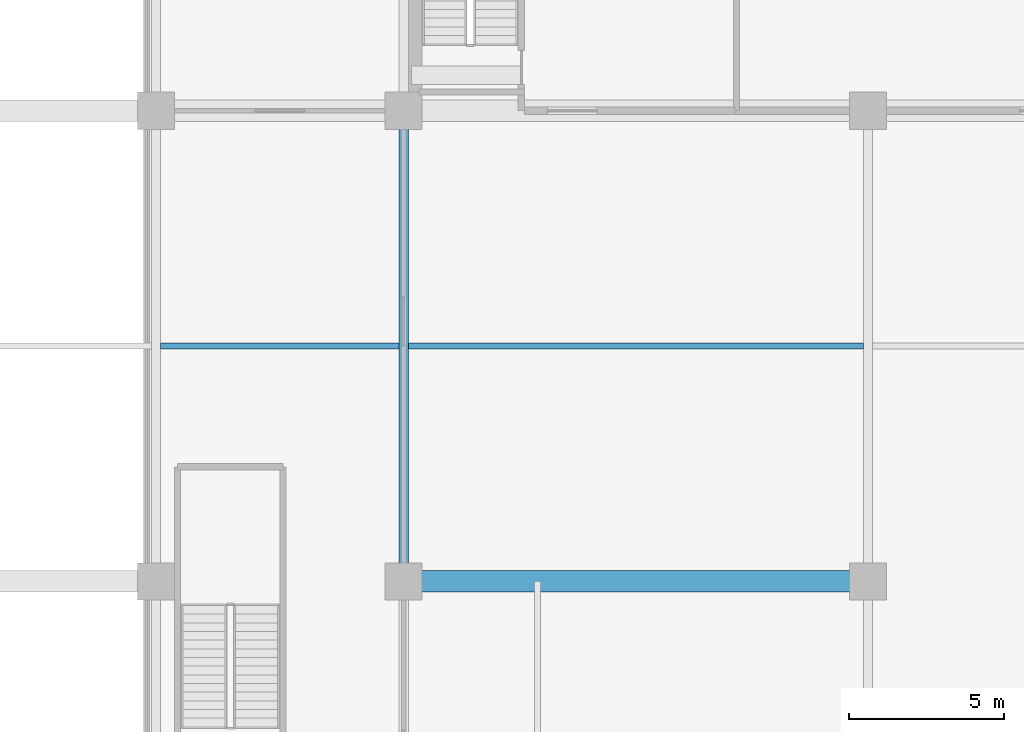
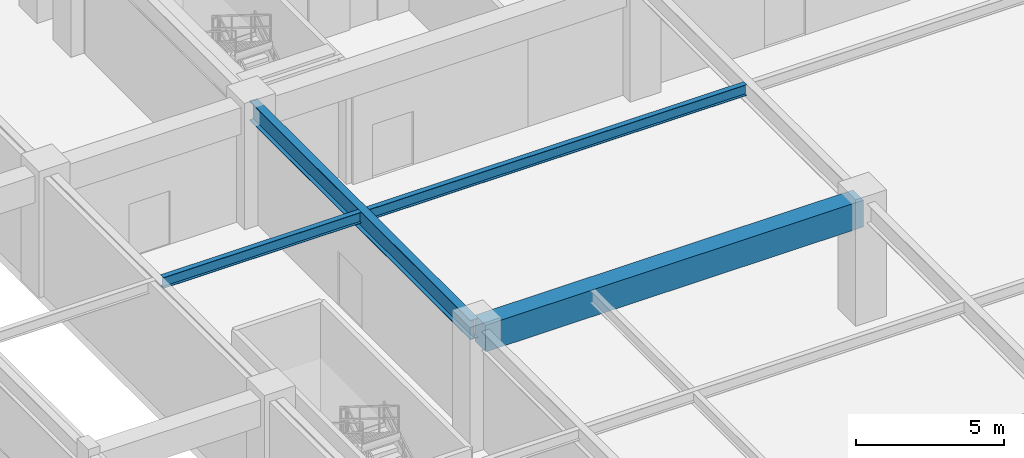
# One storey, part 9 of 40: 4 beams.
"""IFC4 building model written with IfcOpenShell, lengths in metres."""

from ifc_helpers import new_model, si_unit, direction, frame, origin, origin_2d, place, context, subcontext, project, spatial, rectangle, i_section, extrude, source, transform, mapped, material, material_profile, profile_set, type_object, element, save


model = new_model("IFC4")

# Units and contexts
model_context = context("Model", 3, precision=1e-05, world=origin(), true_north=direction((0.0, 1.0)))
body_context = subcontext(model_context, "Body", "Model", "MODEL_VIEW")
ifc_project = project(units=[si_unit("LENGTHUNIT", "METRE"), si_unit("AREAUNIT", "SQUARE_METRE"), si_unit("VOLUMEUNIT", "CUBIC_METRE"), si_unit("PLANEANGLEUNIT", "RADIAN"), si_unit("MASSUNIT", "GRAM", prefix="KILO")], contexts=[model_context])

# Site, building, storey
site_placement = place(None, origin())
site = spatial("IfcSite", under=ifc_project, at=site_placement, CompositionType="ELEMENT")
building_placement = place(site_placement, origin())
building = spatial("IfcBuilding", under=site, at=building_placement, Name="Trelvane Seafront Commons", CompositionType="ELEMENT")
storey_placement = place(building_placement, origin())
storey = spatial("IfcBuildingStorey", under=building, at=storey_placement, Name="L00", CompositionType="ELEMENT", Elevation=0.0)

# Beams
ifc_material_1 = material(Name="Concrete C50/60", Category="concrete")
ifc_material_profile_1 = material_profile(ifc_material_1, rectangle(XDim=0.699951171875, YDim=1.10009765625, at=origin_2d()), Name="RC-700x1100")
ifc_profile_set_1 = profile_set([ifc_material_profile_1], Name="Concrete C50/60")
beam_type_1 = type_object("IfcBeamType", Name="STR-TBM-RC700x1100", PredefinedType="T_BEAM", material=ifc_profile_set_1)
shared_shape_1 = source(origin(), body_context, "Body", "SweptSolid", [
    extrude(rectangle(XDim=0.699951171875, YDim=1.10009765625, at=origin_2d()), origin(), (0.0, 0.0, 1.0), 14.699951171875),
])
beam_1_placement = place(storey_placement, frame((15.75, 18.199951171875, 4.330078125), z_axis=(1.0, 0.0, 0.0), x_axis=(0.0, 1.0, 0.0)))
element("IfcBeam", 1, at=beam_1_placement, inside=storey, type_object=beam_type_1, Name="L00 Primary Girder G-09", PredefinedType="T_BEAM", context=body_context, shape_type="MappedRepresentation", body=[
    mapped(shared_shape_1, transform((0.0, 0.0, 0.0), x_axis=(1.0, 0.0, 0.0), y_axis=(0.0, 1.0, 0.0), z_axis=(0.0, 0.0, 1.0), scale=1.0)),
])
ifc_material_2 = material(Name="Steel SM355 (S355)", Category="steel")
ifc_material_profile_2 = material_profile(ifc_material_2, i_section(OverallWidth=0.300048828125, OverallDepth=0.800048828125, WebThickness=0.013916015625, FlangeThickness=0.02587890625, at=origin_2d()), Name="H-800x300x14x26")
ifc_profile_set_2 = profile_set([ifc_material_profile_2], Name="Steel SM355 (S355)")
beam_type_2 = type_object("IfcBeamType", Name="STR-BM-H800", PredefinedType="BEAM", material=ifc_profile_set_2)
shared_shape_2 = source(origin(), body_context, "Body", "SweptSolid", [
    extrude(i_section(OverallWidth=0.300048828125, OverallDepth=0.800048828125, WebThickness=0.013916015625, FlangeThickness=0.02587890625, at=origin_2d()), origin(), (0.0, 0.0, 1.0), 14.89990234375),
])
beam_2_placement = place(storey_placement, frame((15.60009765625, 18.35009765625, 4.47998046875), z_axis=(0.0, 1.0, 0.0), x_axis=(-1.0, 0.0, 0.0)))
element("IfcBeam", 2, at=beam_2_placement, inside=storey, type_object=beam_type_2, Name="L00 Primary Girder G-40", PredefinedType="BEAM", context=body_context, shape_type="MappedRepresentation", body=[
    mapped(shared_shape_2, transform((0.0, 0.0, 0.0), x_axis=(1.0, 0.0, 0.0), y_axis=(0.0, 1.0, 0.0), z_axis=(0.0, 0.0, 1.0), scale=1.0)),
])
ifc_material_profile_3 = material_profile(ifc_material_2, i_section(OverallWidth=0.199951171875, OverallDepth=0.449951171875, WebThickness=0.009033203125, FlangeThickness=0.013916015625, at=origin_2d()), Name="H-450x200x9x14")
ifc_profile_set_3 = profile_set([ifc_material_profile_3], Name="Steel SM355 (S355)")
beam_type_3 = type_object("IfcBeamType", Name="STR-JST-H450", PredefinedType="JOIST", material=ifc_profile_set_3)
shared_shape_3 = source(origin(), body_context, "Body", "SweptSolid", [
    extrude(i_section(OverallWidth=0.199951171875, OverallDepth=0.449951171875, WebThickness=0.009033203125, FlangeThickness=0.013916015625, at=origin_2d()), origin(), (0.0, 0.0, 1.0), 7.699951171875),
])
beam_3_placement = place(storey_placement, frame((7.75, 25.800048828125, 4.655029296875), z_axis=(1.0, 0.0, 0.0), x_axis=(0.0, 1.0, 0.0)))
element("IfcBeam", 3, at=beam_3_placement, inside=storey, type_object=beam_type_3, Name="L00 Secondary Floor Joist B-66", PredefinedType="JOIST", context=body_context, shape_type="MappedRepresentation", body=[
    mapped(shared_shape_3, transform((0.0, 0.0, 0.0), x_axis=(1.0, 0.0, 0.0), y_axis=(0.0, 1.0, 0.0), z_axis=(0.0, 0.0, 1.0), scale=1.0)),
])
shared_shape_4 = source(origin(), body_context, "Body", "SweptSolid", [
    extrude(i_section(OverallWidth=0.199951171875, OverallDepth=0.449951171875, WebThickness=0.009033203125, FlangeThickness=0.013916015625, at=origin_2d()), origin(), (0.0, 0.0, 1.0), 14.699951171875),
])
beam_4_placement = place(storey_placement, frame((15.75, 25.800048828125, 4.655029296875), z_axis=(1.0, 0.0, 0.0), x_axis=(0.0, 1.0, 0.0)))
element("IfcBeam", 4, at=beam_4_placement, inside=storey, type_object=beam_type_3, Name="L00 Secondary Floor Joist B-67", PredefinedType="JOIST", context=body_context, shape_type="MappedRepresentation", body=[
    mapped(shared_shape_4, transform((0.0, 0.0, 0.0), x_axis=(1.0, 0.0, 0.0), y_axis=(0.0, 1.0, 0.0), z_axis=(0.0, 0.0, 1.0), scale=1.0)),
])

save(model, "model.ifc")
